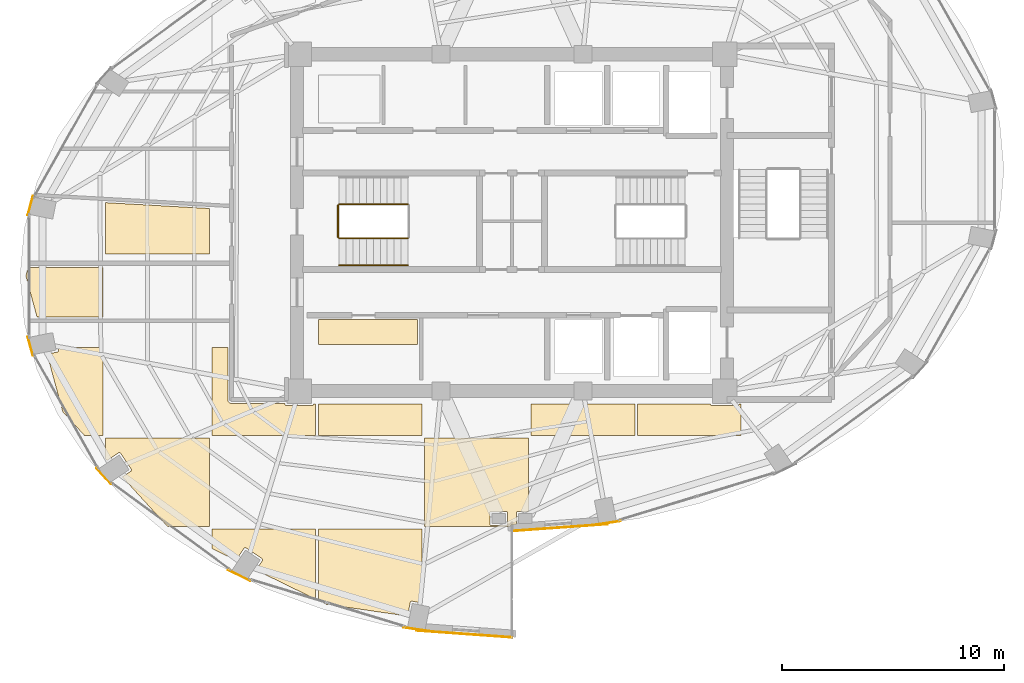
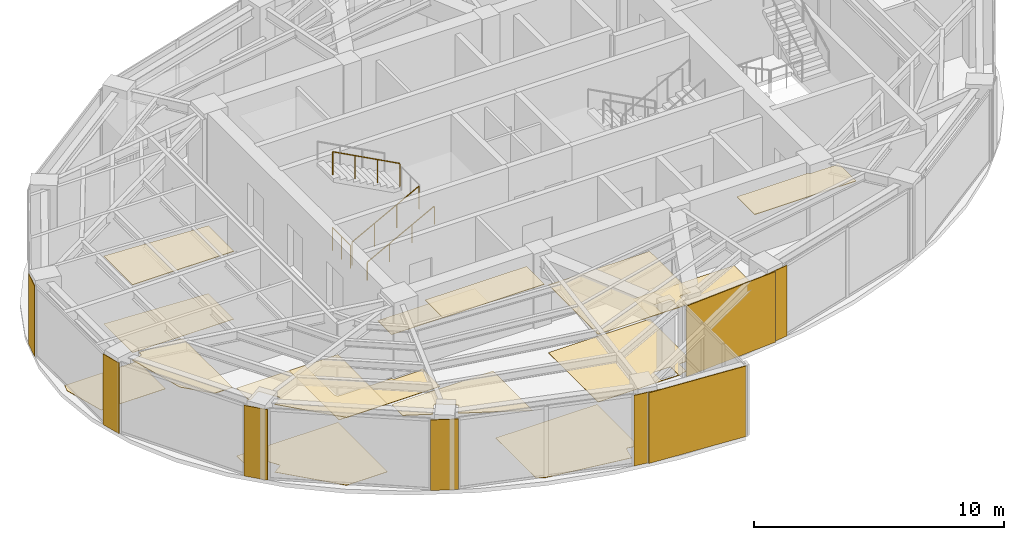
# One storey, part 22 of 23: 23 coverings, 4 railings.
"""IFC4 building model written with IfcOpenShell, lengths in metres."""

from ifc_helpers import new_model, si_unit, direction, frame, origin, origin_2d, place, context, subcontext, project, spatial, polyline, rectangle, circle, outline, extrude, material, layer, layer_set, type_object, element, save


model = new_model("IFC4")

# Units and contexts
model_context = context("Model", 3, precision=1e-05, world=origin(), true_north=direction((0.0, 1.0)))
body_context = subcontext(model_context, "Body", "Model", "MODEL_VIEW")
ifc_project = project(units=[si_unit("LENGTHUNIT", "METRE"), si_unit("AREAUNIT", "SQUARE_METRE"), si_unit("VOLUMEUNIT", "CUBIC_METRE"), si_unit("PLANEANGLEUNIT", "RADIAN"), si_unit("MASSUNIT", "GRAM", prefix="KILO")], contexts=[model_context])

# Site, building, storey
site_placement = place(None, origin())
site = spatial("IfcSite", under=ifc_project, at=site_placement, CompositionType="ELEMENT")
building_placement = place(site_placement, origin())
building = spatial("IfcBuilding", under=site, at=building_placement, Name="Lazwardi Medical Tower", CompositionType="ELEMENT")
storey_placement = place(building_placement, frame((0.0, 0.0, 209.424072265625)))
storey = spatial("IfcBuildingStorey", under=building, at=storey_placement, Name="L54", CompositionType="ELEMENT", Elevation=209.424072265625)

# Coverings
ifc_material_1 = material(Name="Anodised bronze aluminium cassette cladding", Category="aluminium")
ifc_layer_1 = layer(ifc_material_1, 0.030029296875)
ifc_layer_set_1 = layer_set([ifc_layer_1], Name="Anodised bronze aluminium cassette cladding")
covering_type_1 = type_object("IfcCoveringType", Name="COV-CLD-BRZ", PredefinedType="CLADDING", material=ifc_layer_set_1)
covering_1_placement = place(storey_placement, frame((40.3232421875, 14.450439453125, 0.0), z_axis=(0.0, 0.0, 1.0), x_axis=(0.989512431533, 0.144447733943, 0.0)))
element("IfcCovering", 1, at=covering_1_placement, inside=storey, type_object=covering_type_1, Name="L54 Mega-column bronze cassette cover M01", PredefinedType="CLADDING", context=body_context, shape_type="SweptSolid", body=[
    extrude(rectangle(XDim=1.188720703125, YDim=0.030029296875, at=origin_2d()), origin(), (0.0, 0.0, 1.0), 3.447998046875),
])
for number, where, z_axis, x_axis, name in (
    (2, (14.265869140625, 28.772705078125, 0.0), (0.0, 0.0, 1.0), (-0.261641748247, -0.96516506131, 0.0), "L54 Mega-column bronze cassette cover M12"),
    (3, (14.265869140625, 22.427490234375, 0.0), (0.0, 0.0, 1.0), (0.261641748247, -0.96516506131, 0.0), "L54 Mega-column bronze cassette cover M13"),
):
    element("IfcCovering", number, at=place(storey_placement, frame(where, z_axis=z_axis, x_axis=x_axis)), inside=storey, type_object=covering_type_1, Name=name, PredefinedType="CLADDING", context=body_context, shape_type="SweptSolid", body=[
        extrude(rectangle(XDim=0.894287109375, YDim=0.030029296875, at=origin_2d()), origin(), (0.0, 0.0, 1.0), 3.447998046875),
    ])
covering_2_placement = place(storey_placement, frame((17.57470703125, 16.565185546875, 0.0), z_axis=(0.0, 0.0, 1.0), x_axis=(0.673240970654, -0.739423150458, 0.0)))
element("IfcCovering", 4, at=covering_2_placement, inside=storey, type_object=covering_type_1, Name="L54 Mega-column bronze cassette cover M14", PredefinedType="CLADDING", context=body_context, shape_type="SweptSolid", body=[
    extrude(rectangle(XDim=0.98974609375, YDim=0.030029296875, at=origin_2d()), origin(), (0.0, 0.0, 1.0), 3.447998046875),
])
covering_3_placement = place(storey_placement, frame((23.688720703125, 12.07861328125, 0.0), z_axis=(0.0, 0.0, 1.0), x_axis=(0.897840141691, -0.440321564278, 0.0)))
element("IfcCovering", 5, at=covering_3_placement, inside=storey, type_object=covering_type_1, Name="L54 Mega-column bronze cassette cover M15", PredefinedType="CLADDING", context=body_context, shape_type="SweptSolid", body=[
    extrude(rectangle(XDim=1.110595703125, YDim=0.030029296875, at=origin_2d()), origin(), (0.0, 0.0, 1.0), 3.447998046875),
])
covering_4_placement = place(storey_placement, frame((31.6767578125, 9.650390625, 0.0), z_axis=(0.0, 0.0, 1.0), x_axis=(0.989512431533, -0.144447733943, 0.0)))
element("IfcCovering", 6, at=covering_4_placement, inside=storey, type_object=covering_type_1, Name="L54 Mega-column bronze cassette cover M16", PredefinedType="CLADDING", context=body_context, shape_type="SweptSolid", body=[
    extrude(rectangle(XDim=1.188720703125, YDim=0.030029296875, at=origin_2d()), origin(), (0.0, 0.0, 1.0), 3.447998046875),
])
ifc_material_2 = material(Name="Turquoise glazed ceramic tilework cladding", Category="masonry")
ifc_layer_2 = layer(ifc_material_2, 0.034912109375)
ifc_layer_set_2 = layer_set([ifc_layer_2], Name="Turquoise glazed ceramic tilework cladding")
covering_type_2 = type_object("IfcCoveringType", Name="COV-CLD-TRQ", PredefinedType="CLADDING", material=ifc_layer_set_2)
covering_5_placement = place(storey_placement, frame((38.16259765625, 14.239990234375, 0.0), z_axis=(0.0, 0.0, 1.0), x_axis=(0.997409491337, 0.071932653157, 0.0)))
element("IfcCovering", 7, at=covering_5_placement, inside=storey, type_object=covering_type_2, Name="L54 Turquoise glazed ceramic tilework cladding", PredefinedType="CLADDING", context=body_context, shape_type="SweptSolid", body=[
    extrude(rectangle(XDim=4.31103515625, YDim=0.034912109375, at=origin_2d()), origin(), (0.0, 0.0, 1.0), 3.447998046875),
])
covering_6_placement = place(storey_placement, frame((33.83740234375, 9.43994140625, 0.0), z_axis=(0.0, 0.0, 1.0), x_axis=(0.997408989128, -0.071939616387, 0.0)))
element("IfcCovering", 8, at=covering_6_placement, inside=storey, type_object=covering_type_2, Name="L54 Turquoise glazed ceramic tilework cladding", PredefinedType="CLADDING", context=body_context, shape_type="SweptSolid", body=[
    extrude(rectangle(XDim=4.310546875, YDim=0.034912109375, at=origin_2d()), origin(), (0.0, 0.0, 1.0), 3.447998046875),
])
ifc_material_3 = material(Name="Acoustic mineral fibre tile")
ifc_layer_3 = layer(ifc_material_3, 0.02490234375)
ifc_layer_set_3 = layer_set([ifc_layer_3], Name="Acoustic mineral fibre tile")
covering_type_3 = type_object("IfcCoveringType", Name="COV-CLG-01", PredefinedType="CEILING", material=ifc_layer_set_3)
covering_7_placement = place(storey_placement, frame((0.0, 0.0, 3.302978515625)))
element("IfcCovering", 9, at=covering_7_placement, inside=storey, type_object=covering_type_3, Name="L54 Clinical Acoustic Ceiling 1", PredefinedType="CEILING", context=body_context, shape_type="SweptSolid", body=[
    extrude(outline(polyline([(15.510498046875, 22.37255859375), (15.534423828125, 22.251953125), (15.53564453125, 22.244140625), (15.535888671875, 22.236328125), (15.53564453125, 22.228515625), (15.534423828125, 22.220703125), (15.53271484375, 22.213134765625), (15.52978515625, 22.205810546875), (15.526611328125, 22.19873046875), (15.5224609375, 22.19189453125), (15.517822265625, 22.185791015625), (15.5126953125, 22.1796875), (15.5068359375, 22.174560546875), (15.50048828125, 22.169921875), (15.49365234375, 22.165771484375), (15.486572265625, 22.16259765625), (15.479248046875, 22.159912109375), (15.4716796875, 22.157958984375), (15.0224609375, 22.068603515625), (15.728271484375, 19.470703125), (16.71240234375, 18.392578125), (17.54296875, 18.392578125), (17.54296875, 22.37255859375), (15.510498046875, 22.37255859375)])), origin(), (0.0, 0.0, 1.0), 0.02490234375),
])
covering_8_placement = place(storey_placement, frame((0.0, 0.0, 3.302978515625)))
element("IfcCovering", 10, at=covering_8_placement, inside=storey, type_object=covering_type_3, Name="L54 Clinical Acoustic Ceiling 2", PredefinedType="CEILING", context=body_context, shape_type="SweptSolid", body=[
    extrude(outline(polyline([(17.662841796875, 17.351318359375), (17.7333984375, 17.273681640625), (18.236572265625, 17.60986328125), (18.2431640625, 17.614013671875), (18.250244140625, 17.6171875), (18.2578125, 17.6201171875), (18.265380859375, 17.621826171875), (18.273193359375, 17.623046875), (18.281005859375, 17.623291015625), (18.288818359375, 17.623046875), (18.29638671875, 17.621826171875), (18.30419921875, 17.6201171875), (18.3115234375, 17.6171875), (18.318603515625, 17.614013671875), (18.3251953125, 17.60986328125), (18.33154296875, 17.605224609375), (18.33740234375, 17.60009765625), (18.3427734375, 17.59423828125), (18.347412109375, 17.587890625), (18.814208984375, 16.889404296875), (18.818115234375, 16.8828125), (18.821533203125, 16.87548828125), (18.82421875, 16.8681640625), (18.826171875, 16.860595703125), (18.8271484375, 16.852783203125), (18.82763671875, 16.844970703125), (18.8271484375, 16.837158203125), (18.826171875, 16.829345703125), (18.82421875, 16.82177734375), (18.821533203125, 16.814453125), (18.818115234375, 16.807373046875), (18.814208984375, 16.800537109375), (18.809326171875, 16.794189453125), (18.80419921875, 16.788330078125), (18.79833984375, 16.783203125), (18.7919921875, 16.778564453125), (18.415283203125, 16.52685546875), (20.45458984375, 14.29248046875), (22.343017578125, 14.29248046875), (22.343017578125, 18.2724609375), (17.662841796875, 18.2724609375), (17.662841796875, 17.351318359375)])), origin(), (0.0, 0.0, 1.0), 0.02490234375),
])
covering_9_placement = place(storey_placement, frame((0.0, 0.0, 3.302978515625)))
element("IfcCovering", 11, at=covering_9_placement, inside=storey, type_object=covering_type_3, Name="L54 Clinical Acoustic Ceiling 3", PredefinedType="CEILING", context=body_context, shape_type="SweptSolid", body=[
    extrude(outline(polyline([(22.343017578125, 28.640380859375), (17.662841796875, 28.902587890625), (17.662841796875, 26.592529296875), (22.343017578125, 26.592529296875), (22.343017578125, 28.640380859375)])), origin(), (0.0, 0.0, 1.0), 0.02490234375),
])
covering_10_placement = place(storey_placement, frame((0.0, 0.0, 3.302978515625)))
element("IfcCovering", 12, at=covering_10_placement, inside=storey, type_object=covering_type_3, Name="L54 Clinical Acoustic Ceiling 4", PredefinedType="CEILING", context=body_context, shape_type="SweptSolid", body=[
    extrude(outline(polyline([(22.462890625, 13.2958984375), (23.545654296875, 12.766357421875), (23.900634765625, 13.297607421875), (23.905517578125, 13.303955078125), (23.91064453125, 13.309814453125), (23.91650390625, 13.31494140625), (23.9228515625, 13.319580078125), (23.929443359375, 13.32373046875), (23.9365234375, 13.3271484375), (23.944091796875, 13.329833984375), (23.95166015625, 13.331787109375), (23.95947265625, 13.332763671875), (23.96728515625, 13.333251953125), (23.97509765625, 13.332763671875), (23.98291015625, 13.331787109375), (23.990478515625, 13.329833984375), (23.997802734375, 13.3271484375), (24.0048828125, 13.32373046875), (24.01171875, 13.319580078125), (24.7099609375, 12.85302734375), (24.71630859375, 12.848388671875), (24.72216796875, 12.843017578125), (24.727294921875, 12.83740234375), (24.732177734375, 12.830810546875), (24.736083984375, 12.82421875), (24.739501953125, 12.817138671875), (24.7421875, 12.809814453125), (24.744140625, 12.802001953125), (24.7451171875, 12.794189453125), (24.74560546875, 12.78662109375), (24.7451171875, 12.77880859375), (24.744140625, 12.77099609375), (24.7421875, 12.76318359375), (24.739501953125, 12.755859375), (24.736083984375, 12.748779296875), (24.732177734375, 12.7421875), (24.4521484375, 12.322998046875), (27.142822265625, 11.006591796875), (27.142822265625, 14.172607421875), (22.462890625, 14.172607421875), (22.462890625, 13.2958984375)])), origin(), (0.0, 0.0, 1.0), 0.02490234375),
])
covering_11_placement = place(storey_placement, frame((0.0, 0.0, 3.302978515625)))
element("IfcCovering", 13, at=covering_11_placement, inside=storey, type_object=covering_type_3, Name="L54 Clinical Acoustic Ceiling 6", PredefinedType="CEILING", context=body_context, shape_type="SweptSolid", body=[
    extrude(outline(polyline([(31.94287109375, 19.820068359375), (27.262939453125, 19.820068359375), (27.262939453125, 18.392578125), (31.94287109375, 18.392578125), (31.94287109375, 19.820068359375)])), origin(), (0.0, 0.0, 1.0), 0.02490234375),
])
covering_12_placement = place(storey_placement, frame((0.0, 0.0, 3.302978515625)))
element("IfcCovering", 14, at=covering_12_placement, inside=storey, type_object=covering_type_3, Name="L54 Clinical Acoustic Ceiling 8", PredefinedType="CEILING", context=body_context, shape_type="SweptSolid", body=[
    extrude(outline(polyline([(35.921142578125, 14.29248046875), (35.92138671875, 14.295166015625), (35.923095703125, 14.302490234375), (35.92578125, 14.309814453125), (35.928955078125, 14.316650390625), (35.9326171875, 14.3232421875), (35.93701171875, 14.329345703125), (35.94189453125, 14.335205078125), (35.947509765625, 14.34033203125), (35.95361328125, 14.34521484375), (35.9599609375, 14.34912109375), (35.966796875, 14.352783203125), (35.9736328125, 14.355712890625), (35.98095703125, 14.357666015625), (35.988525390625, 14.359130859375), (36.201416015625, 14.39013671875), (36.200439453125, 14.397216796875), (36.199951171875, 14.405029296875), (36.199951171875, 14.89501953125), (36.200439453125, 14.90283203125), (36.201416015625, 14.91064453125), (36.203369140625, 14.918212890625), (36.2060546875, 14.925537109375), (36.20947265625, 14.9326171875), (36.21337890625, 14.939453125), (36.21826171875, 14.94580078125), (36.223388671875, 14.95166015625), (36.229248046875, 14.956787109375), (36.235595703125, 14.96142578125), (36.2421875, 14.965576171875), (36.24951171875, 14.968994140625), (36.2568359375, 14.9716796875), (36.264404296875, 14.973388671875), (36.272216796875, 14.974609375), (36.280029296875, 14.97509765625), (36.742919921875, 14.97509765625), (36.742919921875, 18.2724609375), (32.06298828125, 18.2724609375), (32.06298828125, 14.29248046875), (35.921142578125, 14.29248046875)]), holes=[polyline([(35.75048828125, 14.3310546875), (35.7431640625, 14.328369140625), (35.735595703125, 14.326416015625), (35.727783203125, 14.325439453125), (35.719970703125, 14.324951171875), (35.080078125, 14.324951171875), (35.072265625, 14.325439453125), (35.064453125, 14.326416015625), (35.056884765625, 14.328369140625), (35.04931640625, 14.3310546875), (35.042236328125, 14.33447265625), (35.03564453125, 14.33837890625), (35.029296875, 14.34326171875), (35.0234375, 14.348388671875), (35.018310546875, 14.354248046875), (35.013427734375, 14.360595703125), (35.009521484375, 14.3671875), (35.006103515625, 14.37451171875), (35.00341796875, 14.3818359375), (35.00146484375, 14.389404296875), (35.00048828125, 14.397216796875), (35.0, 14.405029296875), (35.0, 14.89501953125), (35.00048828125, 14.90283203125), (35.00146484375, 14.91064453125), (35.00341796875, 14.918212890625), (35.006103515625, 14.925537109375), (35.009521484375, 14.9326171875), (35.013427734375, 14.939453125), (35.018310546875, 14.94580078125), (35.0234375, 14.95166015625), (35.029296875, 14.956787109375), (35.03564453125, 14.96142578125), (35.042236328125, 14.965576171875), (35.04931640625, 14.968994140625), (35.056884765625, 14.9716796875), (35.064453125, 14.973388671875), (35.072265625, 14.974609375), (35.080078125, 14.97509765625), (35.719970703125, 14.97509765625), (35.727783203125, 14.974609375), (35.735595703125, 14.973388671875), (35.7431640625, 14.9716796875), (35.75048828125, 14.968994140625), (35.7578125, 14.965576171875), (35.764404296875, 14.96142578125), (35.770751953125, 14.956787109375), (35.776611328125, 14.95166015625), (35.78173828125, 14.94580078125), (35.78662109375, 14.939453125), (35.79052734375, 14.9326171875), (35.7939453125, 14.925537109375), (35.796630859375, 14.918212890625), (35.798583984375, 14.91064453125), (35.799560546875, 14.90283203125), (35.800048828125, 14.89501953125), (35.800048828125, 14.405029296875), (35.799560546875, 14.397216796875), (35.798583984375, 14.389404296875), (35.796630859375, 14.3818359375), (35.7939453125, 14.37451171875), (35.79052734375, 14.3671875), (35.78662109375, 14.360595703125), (35.78173828125, 14.354248046875), (35.776611328125, 14.348388671875), (35.770751953125, 14.34326171875), (35.764404296875, 14.33837890625), (35.7578125, 14.33447265625), (35.75048828125, 14.3310546875)])]), origin(), (0.0, 0.0, 1.0), 0.02490234375),
])
covering_13_placement = place(storey_placement, frame((0.0, 0.0, 3.302978515625)))
element("IfcCovering", 15, at=covering_13_placement, inside=storey, type_object=covering_type_3, Name="L54 Clinical Acoustic Ceiling 10", PredefinedType="CEILING", context=body_context, shape_type="SweptSolid", body=[
    extrude(outline(polyline([(46.343017578125, 19.820068359375), (46.249267578125, 19.820068359375), (46.24853515625, 19.814453125), (46.24658203125, 19.806884765625), (46.243896484375, 19.79931640625), (46.240478515625, 19.792236328125), (46.236572265625, 19.78564453125), (46.231689453125, 19.779296875), (46.2265625, 19.7734375), (46.220703125, 19.768310546875), (46.21435546875, 19.763427734375), (46.207763671875, 19.759521484375), (46.20068359375, 19.756103515625), (46.193115234375, 19.75341796875), (46.185546875, 19.75146484375), (46.177734375, 19.75048828125), (46.169921875, 19.75), (45.030029296875, 19.75), (45.022216796875, 19.75048828125), (45.014404296875, 19.75146484375), (45.0068359375, 19.75341796875), (44.99951171875, 19.756103515625), (44.9921875, 19.759521484375), (44.985595703125, 19.763427734375), (44.979248046875, 19.768310546875), (44.973388671875, 19.7734375), (44.96826171875, 19.779296875), (44.96337890625, 19.78564453125), (44.95947265625, 19.792236328125), (44.9560546875, 19.79931640625), (44.953369140625, 19.806884765625), (44.951416015625, 19.814453125), (44.95068359375, 19.820068359375), (41.662841796875, 19.820068359375), (41.662841796875, 18.392578125), (46.343017578125, 18.392578125), (46.343017578125, 19.820068359375)])), origin(), (0.0, 0.0, 1.0), 0.02490234375),
])
ifc_material_4 = material(Name="Anti-static hospital vinyl sheet flooring")
ifc_layer_4 = layer(ifc_material_4, 0.014892578125)
ifc_layer_set_4 = layer_set([ifc_layer_4], Name="Anti-static hospital vinyl sheet flooring")
covering_type_4 = type_object("IfcCoveringType", Name="COV-FLR-01", PredefinedType="FLOORING", material=ifc_layer_set_4)
covering_14_placement = place(storey_placement, origin())
element("IfcCovering", 16, at=covering_14_placement, inside=storey, type_object=covering_type_4, Name="L54 Clinical Vinyl Flooring 1", PredefinedType="FLOORING", context=body_context, shape_type="SweptSolid", body=[
    extrude(outline(polyline([(17.54296875, 25.969970703125), (14.16357421875, 25.969970703125), (14.06298828125, 25.60009765625), (14.56689453125, 23.7451171875), (17.54296875, 23.7451171875), (17.54296875, 25.969970703125)])), origin(), (0.0, 0.0, 1.0), 0.014892578125),
])
covering_15_placement = place(storey_placement, origin())
element("IfcCovering", 17, at=covering_15_placement, inside=storey, type_object=covering_type_4, Name="L54 Clinical Vinyl Flooring 2", PredefinedType="FLOORING", context=body_context, shape_type="SweptSolid", body=[
    extrude(outline(polyline([(17.662841796875, 17.351318359375), (17.7333984375, 17.273681640625), (18.236572265625, 17.60986328125), (18.2431640625, 17.614013671875), (18.250244140625, 17.6171875), (18.2578125, 17.6201171875), (18.265380859375, 17.621826171875), (18.273193359375, 17.623046875), (18.281005859375, 17.623291015625), (18.288818359375, 17.623046875), (18.29638671875, 17.621826171875), (18.30419921875, 17.6201171875), (18.3115234375, 17.6171875), (18.318603515625, 17.614013671875), (18.3251953125, 17.60986328125), (18.33154296875, 17.605224609375), (18.33740234375, 17.60009765625), (18.3427734375, 17.59423828125), (18.347412109375, 17.587890625), (18.814208984375, 16.889404296875), (18.818115234375, 16.8828125), (18.821533203125, 16.87548828125), (18.82421875, 16.8681640625), (18.826171875, 16.860595703125), (18.8271484375, 16.852783203125), (18.82763671875, 16.844970703125), (18.8271484375, 16.837158203125), (18.826171875, 16.829345703125), (18.82421875, 16.82177734375), (18.821533203125, 16.814453125), (18.818115234375, 16.807373046875), (18.814208984375, 16.800537109375), (18.809326171875, 16.794189453125), (18.80419921875, 16.788330078125), (18.79833984375, 16.783203125), (18.7919921875, 16.778564453125), (18.415283203125, 16.52685546875), (20.45458984375, 14.29248046875), (22.343017578125, 14.29248046875), (22.343017578125, 18.2724609375), (17.662841796875, 18.2724609375), (17.662841796875, 17.351318359375)])), origin(), (0.0, 0.0, 1.0), 0.014892578125),
])
covering_16_placement = place(storey_placement, origin())
element("IfcCovering", 18, at=covering_16_placement, inside=storey, type_object=covering_type_4, Name="L54 Clinical Vinyl Flooring 3", PredefinedType="FLOORING", context=body_context, shape_type="SweptSolid", body=[
    extrude(outline(polyline([(22.343017578125, 28.640380859375), (17.662841796875, 28.902587890625), (17.662841796875, 26.592529296875), (22.343017578125, 26.592529296875), (22.343017578125, 28.640380859375)])), origin(), (0.0, 0.0, 1.0), 0.014892578125),
])
covering_17_placement = place(storey_placement, origin())
element("IfcCovering", 19, at=covering_17_placement, inside=storey, type_object=covering_type_4, Name="L54 Clinical Vinyl Flooring 4", PredefinedType="FLOORING", context=body_context, shape_type="SweptSolid", body=[
    extrude(outline(polyline([(27.142822265625, 19.820068359375), (27.04931640625, 19.820068359375), (27.048583984375, 19.814453125), (27.046630859375, 19.806884765625), (27.0439453125, 19.79931640625), (27.04052734375, 19.792236328125), (27.03662109375, 19.78564453125), (27.03173828125, 19.779296875), (27.026611328125, 19.7734375), (27.020751953125, 19.768310546875), (27.014404296875, 19.763427734375), (27.0078125, 19.759521484375), (27.00048828125, 19.756103515625), (26.9931640625, 19.75341796875), (26.985595703125, 19.75146484375), (26.977783203125, 19.75048828125), (26.969970703125, 19.75), (25.830078125, 19.75), (25.822265625, 19.75048828125), (25.814453125, 19.75146484375), (25.806884765625, 19.75341796875), (25.79931640625, 19.756103515625), (25.792236328125, 19.759521484375), (25.78564453125, 19.763427734375), (25.779296875, 19.768310546875), (25.7734375, 19.7734375), (25.768310546875, 19.779296875), (25.763427734375, 19.78564453125), (25.759521484375, 19.792236328125), (25.756103515625, 19.79931640625), (25.75341796875, 19.806884765625), (25.75146484375, 19.814453125), (25.75048828125, 19.822265625), (25.75, 19.830078125), (25.75, 19.844970703125), (23.35009765625, 19.844970703125), (23.345703125, 19.84521484375), (23.33642578125, 19.845703125), (23.32958984375, 19.84619140625), (23.3203125, 19.84765625), (23.31201171875, 19.84912109375), (23.302734375, 19.8515625), (23.2958984375, 19.853515625), (23.287109375, 19.856689453125), (23.279296875, 19.860107421875), (23.270751953125, 19.864013671875), (23.263916015625, 19.86767578125), (23.256103515625, 19.872314453125), (23.249267578125, 19.876953125), (23.24169921875, 19.882568359375), (23.236083984375, 19.88720703125), (23.229248046875, 19.893310546875), (23.223388671875, 19.8994140625), (23.217041015625, 19.90625), (23.21240234375, 19.911865234375), (23.206787109375, 19.919189453125), (23.202392578125, 19.926025390625), (23.197509765625, 19.93408203125), (23.194091796875, 19.94091796875), (23.18994140625, 19.94921875), (23.186767578125, 19.95703125), (23.18359375, 19.9658203125), (23.181396484375, 19.972900390625), (23.17919921875, 19.98193359375), (23.177490234375, 19.990234375), (23.17626953125, 19.99951171875), (23.175537109375, 20.00634765625), (23.175048828125, 20.015625), (23.175048828125, 20.02001953125), (23.175048828125, 22.37255859375), (22.462890625, 22.37255859375), (22.462890625, 18.392578125), (27.142822265625, 18.392578125), (27.142822265625, 19.820068359375)])), origin(), (0.0, 0.0, 1.0), 0.014892578125),
])
covering_18_placement = place(storey_placement, origin())
element("IfcCovering", 20, at=covering_18_placement, inside=storey, type_object=covering_type_4, Name="L54 Clinical Vinyl Flooring 5", PredefinedType="FLOORING", context=body_context, shape_type="SweptSolid", body=[
    extrude(outline(polyline([(27.262939453125, 10.947998046875), (27.59716796875, 10.784423828125), (31.285400390625, 10.247314453125), (31.40673828125, 10.8583984375), (31.40869140625, 10.865966796875), (31.411376953125, 10.873291015625), (31.414794921875, 10.88037109375), (31.418701171875, 10.88720703125), (31.423583984375, 10.8935546875), (31.4287109375, 10.8994140625), (31.4345703125, 10.904541015625), (31.44091796875, 10.9091796875), (31.447509765625, 10.913330078125), (31.45458984375, 10.91650390625), (31.462158203125, 10.919189453125), (31.4697265625, 10.921142578125), (31.4775390625, 10.92236328125), (31.4853515625, 10.922607421875), (31.4931640625, 10.92236328125), (31.5009765625, 10.921142578125), (31.94287109375, 10.833251953125), (31.94287109375, 14.172607421875), (27.262939453125, 14.172607421875), (27.262939453125, 10.947998046875)])), origin(), (0.0, 0.0, 1.0), 0.014892578125),
])
covering_19_placement = place(storey_placement, origin())
element("IfcCovering", 21, at=covering_19_placement, inside=storey, type_object=covering_type_4, Name="L54 Clinical Vinyl Flooring 6", PredefinedType="FLOORING", context=body_context, shape_type="SweptSolid", body=[
    extrude(outline(polyline([(31.739990234375, 22.492431640625), (31.739990234375, 23.6201171875), (27.262939453125, 23.6201171875), (27.262939453125, 22.492431640625), (31.739990234375, 22.492431640625)])), origin(), (0.0, 0.0, 1.0), 0.014892578125),
])
covering_20_placement = place(storey_placement, origin())
element("IfcCovering", 22, at=covering_20_placement, inside=storey, type_object=covering_type_4, Name="L54 Clinical Vinyl Flooring 7", PredefinedType="FLOORING", context=body_context, shape_type="SweptSolid", body=[
    extrude(outline(polyline([(35.921142578125, 14.29248046875), (35.92138671875, 14.295166015625), (35.923095703125, 14.302490234375), (35.92578125, 14.309814453125), (35.928955078125, 14.316650390625), (35.9326171875, 14.3232421875), (35.93701171875, 14.329345703125), (35.94189453125, 14.335205078125), (35.947509765625, 14.34033203125), (35.95361328125, 14.34521484375), (35.9599609375, 14.34912109375), (35.966796875, 14.352783203125), (35.9736328125, 14.355712890625), (35.98095703125, 14.357666015625), (35.988525390625, 14.359130859375), (36.201416015625, 14.39013671875), (36.200439453125, 14.397216796875), (36.199951171875, 14.405029296875), (36.199951171875, 14.89501953125), (36.200439453125, 14.90283203125), (36.201416015625, 14.91064453125), (36.203369140625, 14.918212890625), (36.2060546875, 14.925537109375), (36.20947265625, 14.9326171875), (36.21337890625, 14.939453125), (36.21826171875, 14.94580078125), (36.223388671875, 14.95166015625), (36.229248046875, 14.956787109375), (36.235595703125, 14.96142578125), (36.2421875, 14.965576171875), (36.24951171875, 14.968994140625), (36.2568359375, 14.9716796875), (36.264404296875, 14.973388671875), (36.272216796875, 14.974609375), (36.280029296875, 14.97509765625), (36.742919921875, 14.97509765625), (36.742919921875, 18.2724609375), (32.06298828125, 18.2724609375), (32.06298828125, 14.29248046875), (35.921142578125, 14.29248046875)]), holes=[polyline([(35.75048828125, 14.3310546875), (35.7431640625, 14.328369140625), (35.735595703125, 14.326416015625), (35.727783203125, 14.325439453125), (35.719970703125, 14.324951171875), (35.080078125, 14.324951171875), (35.072265625, 14.325439453125), (35.064453125, 14.326416015625), (35.056884765625, 14.328369140625), (35.04931640625, 14.3310546875), (35.042236328125, 14.33447265625), (35.03564453125, 14.33837890625), (35.029296875, 14.34326171875), (35.0234375, 14.348388671875), (35.018310546875, 14.354248046875), (35.013427734375, 14.360595703125), (35.009521484375, 14.3671875), (35.006103515625, 14.37451171875), (35.00341796875, 14.3818359375), (35.00146484375, 14.389404296875), (35.00048828125, 14.397216796875), (35.0, 14.405029296875), (35.0, 14.89501953125), (35.00048828125, 14.90283203125), (35.00146484375, 14.91064453125), (35.00341796875, 14.918212890625), (35.006103515625, 14.925537109375), (35.009521484375, 14.9326171875), (35.013427734375, 14.939453125), (35.018310546875, 14.94580078125), (35.0234375, 14.95166015625), (35.029296875, 14.956787109375), (35.03564453125, 14.96142578125), (35.042236328125, 14.965576171875), (35.04931640625, 14.968994140625), (35.056884765625, 14.9716796875), (35.064453125, 14.973388671875), (35.072265625, 14.974609375), (35.080078125, 14.97509765625), (35.719970703125, 14.97509765625), (35.727783203125, 14.974609375), (35.735595703125, 14.973388671875), (35.7431640625, 14.9716796875), (35.75048828125, 14.968994140625), (35.7578125, 14.965576171875), (35.764404296875, 14.96142578125), (35.770751953125, 14.956787109375), (35.776611328125, 14.95166015625), (35.78173828125, 14.94580078125), (35.78662109375, 14.939453125), (35.79052734375, 14.9326171875), (35.7939453125, 14.925537109375), (35.796630859375, 14.918212890625), (35.798583984375, 14.91064453125), (35.799560546875, 14.90283203125), (35.800048828125, 14.89501953125), (35.800048828125, 14.405029296875), (35.799560546875, 14.397216796875), (35.798583984375, 14.389404296875), (35.796630859375, 14.3818359375), (35.7939453125, 14.37451171875), (35.79052734375, 14.3671875), (35.78662109375, 14.360595703125), (35.78173828125, 14.354248046875), (35.776611328125, 14.348388671875), (35.770751953125, 14.34326171875), (35.764404296875, 14.33837890625), (35.7578125, 14.33447265625), (35.75048828125, 14.3310546875)])]), origin(), (0.0, 0.0, 1.0), 0.014892578125),
])
covering_21_placement = place(storey_placement, origin())
element("IfcCovering", 23, at=covering_21_placement, inside=storey, type_object=covering_type_4, Name="L54 Clinical Vinyl Flooring 9", PredefinedType="FLOORING", context=body_context, shape_type="SweptSolid", body=[
    extrude(outline(polyline([(41.54296875, 19.820068359375), (36.86279296875, 19.820068359375), (36.86279296875, 18.392578125), (41.54296875, 18.392578125), (41.54296875, 19.820068359375)])), origin(), (0.0, 0.0, 1.0), 0.014892578125),
])

# Railings
ifc_material_5 = material(Name="Stainless steel Grade 316", Category="steel")
railing_type_1 = type_object("IfcRailingType", Name="RLG-GRD-1150", PredefinedType="GUARDRAIL", material=ifc_material_5)
railing_1_placement = place(storey_placement, frame((28.199951171875, 27.2900390625, 0.165771484375)))
element("IfcRailing", 24, at=railing_1_placement, inside=storey, type_object=railing_type_1, Name="L54 ST1 stair guard 1", PredefinedType="GUARDRAIL", context=body_context, shape_type="SweptSolid", body=[
    extrude(circle(Radius=0.02392578125, at=origin_2d()), frame((0.0, 0.0, 1.1259765625), z_axis=(0.881783298633, 0.0, 0.471654761719), x_axis=(0.0, 1.0, 0.0)), (0.0, 0.0, 1.0), 3.515625),
    extrude(circle(Radius=0.02099609375, at=origin_2d()), origin(), (0.0, 0.0, 1.0), 1.099853515625),
    extrude(circle(Radius=0.02099609375, at=origin_2d()), frame((1.033447265625, 0.0, 0.552734375)), (0.0, 0.0, 1.0), 1.099853515625),
    extrude(circle(Radius=0.02099609375, at=origin_2d()), frame((2.066650390625, 0.0, 1.10546875)), (0.0, 0.0, 1.0), 1.099853515625),
    extrude(circle(Radius=0.02099609375, at=origin_2d()), frame((3.10009765625, 0.0, 1.658203125)), (0.0, 0.0, 1.0), 1.099853515625),
])
railing_2_placement = place(storey_placement, frame((31.300048828125, 28.830078125, 1.98974609375)))
element("IfcRailing", 25, at=railing_2_placement, inside=storey, type_object=railing_type_1, Name="L54 ST1 stair guard 3", PredefinedType="GUARDRAIL", context=body_context, shape_type="SweptSolid", body=[
    extrude(circle(Radius=0.02392578125, at=origin_2d()), frame((0.0, 0.0, 1.1259765625), z_axis=(-0.881783298633, 0.0, 0.471654761719), x_axis=(0.0, -1.0, 0.0)), (0.0, 0.0, 1.0), 3.515625),
    extrude(circle(Radius=0.02099609375, at=origin_2d()), origin(), (0.0, 0.0, 1.0), 1.099853515625),
    extrude(circle(Radius=0.02099609375, at=origin_2d()), frame((-1.033447265625, 0.0, 0.552734375)), (0.0, 0.0, 1.0), 1.099853515625),
    extrude(circle(Radius=0.02099609375, at=origin_2d()), frame((-2.066650390625, 0.0, 1.10546875)), (0.0, 0.0, 1.0), 1.099853515625),
    extrude(circle(Radius=0.02099609375, at=origin_2d()), frame((-3.10009765625, 0.0, 1.658203125)), (0.0, 0.0, 1.0), 1.099853515625),
])
railing_3_placement = place(storey_placement, frame((28.14990234375, 27.340087890625, 0.0)))
element("IfcRailing", 26, at=railing_3_placement, inside=storey, type_object=railing_type_1, Name="L54 ST1 stair guard 4", PredefinedType="GUARDRAIL", context=body_context, shape_type="SweptSolid", body=[
    extrude(circle(Radius=0.02392578125, at=origin_2d()), frame((0.0, 0.0, 1.1259765625), z_axis=(0.0, 1.0, 0.0), x_axis=(-1.0, 0.0, 0.0)), (0.0, 0.0, 1.0), 1.43994140625),
    extrude(circle(Radius=0.02099609375, at=origin_2d()), origin(), (0.0, 0.0, 1.0), 1.099853515625),
    extrude(circle(Radius=0.02099609375, at=origin_2d()), frame((0.0, 0.719970703125, 0.0)), (0.0, 0.0, 1.0), 1.099853515625),
    extrude(circle(Radius=0.02099609375, at=origin_2d()), frame((0.0, 1.43994140625, 0.0)), (0.0, 0.0, 1.0), 1.099853515625),
])
railing_type_2 = type_object("IfcRailingType", Name="RLG-HND-920", PredefinedType="HANDRAIL", material=ifc_material_5)
railing_4_placement = place(storey_placement, frame((28.199951171875, 26.070068359375, 0.165771484375)))
element("IfcRailing", 27, at=railing_4_placement, inside=storey, type_object=railing_type_2, Name="L54 ST1 stair handrail 1", PredefinedType="HANDRAIL", context=body_context, shape_type="SweptSolid", body=[
    extrude(circle(Radius=0.02392578125, at=origin_2d()), frame((0.0, 0.0, 0.8857421875), z_axis=(0.881783298633, 0.0, 0.471654761719), x_axis=(0.0, 1.0, 0.0)), (0.0, 0.0, 1.0), 3.515625),
    extrude(circle(Radius=0.02099609375, at=origin_2d()), origin(), (0.0, 0.0, 1.0), 0.85986328125),
    extrude(circle(Radius=0.02099609375, at=origin_2d()), frame((1.033447265625, 0.0, 0.552734375)), (0.0, 0.0, 1.0), 0.85986328125),
    extrude(circle(Radius=0.02099609375, at=origin_2d()), frame((2.066650390625, 0.0, 1.10546875)), (0.0, 0.0, 1.0), 0.85986328125),
    extrude(circle(Radius=0.02099609375, at=origin_2d()), frame((3.10009765625, 0.0, 1.658203125)), (0.0, 0.0, 1.0), 0.85986328125),
])

save(model, "model.ifc")
